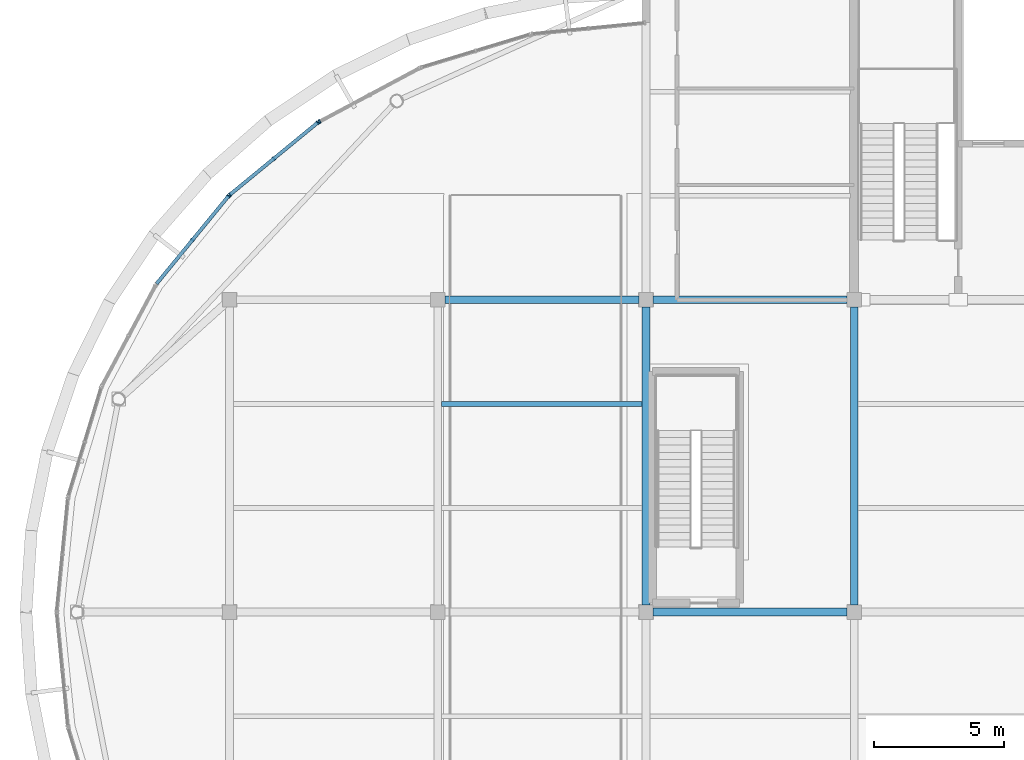
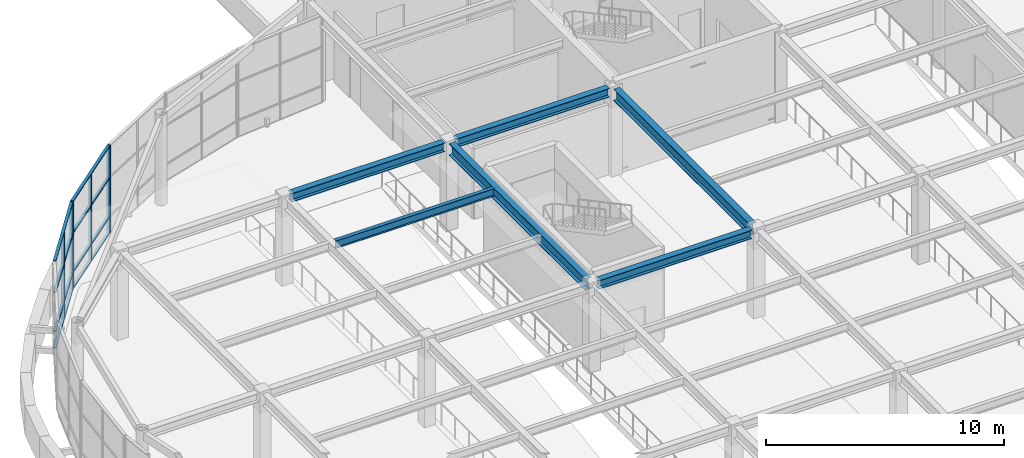
# One storey, part 19 of 72: 14 members, 6 beams, 3 elements without a shape of their own.
"""IFC4 building model written with IfcOpenShell, lengths in metres."""

import ifcopenshell
import ifcopenshell.guid

model = None  # the IFC model being written
_history = None  # IfcOwnerHistory: only IFC2X3 demands one
_inside = {}  # id of a spatial element -> (the spatial element, [elements in it])
_under = {}  # id of a project, library or spatial element -> (it, [spatial elements below it])
_declared = {}  # id of a project -> (the project, [libraries it declares])
_typed = {}  # id of a type object -> (the type object, [elements of that type])
_made_of = {}  # id of a material, layer set ... -> (it, [elements and type objects made of it])


def new_model(schema):
    """Start an empty IFC model of exactly this schema.

    Asked for "IFC4X3", IfcOpenShell would pick the latest addendum, in which some entities
    have other attributes; the version numbers below select the first issue.
    IFC2X3 requires an IfcOwnerHistory on every rooted entity: one is made here for all.
    """
    global model, _history
    if schema == "IFC4X3":
        model = ifcopenshell.file(schema_version=(4, 3, 0, 0))
    else:
        model = ifcopenshell.file(schema=schema)
    _inside.clear()
    _under.clear()
    _declared.clear()
    _typed.clear()
    _made_of.clear()
    _history = None
    if model.schema == "IFC2X3":
        org = make("IfcOrganization", Name="unknown")
        user = make(
            "IfcPersonAndOrganization",
            ThePerson=make("IfcPerson", FamilyName="unknown"),
            TheOrganization=org,
        )
        app = make(
            "IfcApplication",
            ApplicationDeveloper=org,
            Version="unknown",
            ApplicationFullName="unknown",
            ApplicationIdentifier="unknown",
        )
        _history = make(
            "IfcOwnerHistory",
            OwningUser=user,
            OwningApplication=app,
            ChangeAction="ADDED",
            CreationDate=0,
        )
    return model


def make(cls, **values):
    """One entity of the class cls with the attributes given. An attribute that is None is left unset."""
    return model.create_entity(
        cls, **{name: value for name, value in values.items() if value is not None}
    )


def rooted(cls, **values):
    """An entity with a GlobalId (a new one), such as an element, a storey or a relation."""
    return make(cls, GlobalId=ifcopenshell.guid.new(), OwnerHistory=_history, **values)


def si_unit(unit_type, name, prefix=None):
    """IfcSIUnit, for example si_unit("LENGTHUNIT", "METRE", prefix="MILLI")."""
    return make("IfcSIUnit", UnitType=unit_type, Prefix=prefix, Name=name)


def assignment(units):
    """IfcUnitAssignment: the units of a project."""
    return None if units is None else make("IfcUnitAssignment", Units=units)


def point(xyz):
    """IfcCartesianPoint."""
    return None if xyz is None else make("IfcCartesianPoint", Coordinates=xyz)


def direction(xyz):
    """IfcDirection."""
    return None if xyz is None else make("IfcDirection", DirectionRatios=xyz)


def frame(location, z_axis=None, x_axis=None):
    """IfcAxis2Placement3D, a coordinate frame: its origin and axes. An axis left out is left unset."""
    return make(
        "IfcAxis2Placement3D",
        Location=point(location),
        Axis=direction(z_axis),
        RefDirection=direction(x_axis),
    )


def frame_2d(location, x_axis=None):
    """IfcAxis2Placement2D, a coordinate frame in the plane: its origin and x axis."""
    return make(
        "IfcAxis2Placement2D", Location=point(location), RefDirection=direction(x_axis)
    )


def origin():
    """The frame at (0, 0, 0) with its axes left unset."""
    return frame((0.0, 0.0, 0.0))


def origin_2d():
    """The frame at (0, 0) in the plane with its x axis left unset."""
    return frame_2d((0.0, 0.0))


def place(relative_to, where):
    """IfcLocalPlacement: puts the frame where relative to a parent placement (None: the world)."""
    return make(
        "IfcLocalPlacement", PlacementRelTo=relative_to, RelativePlacement=where
    )


def context(
    kind, dimensions, precision=None, world=None, true_north=None, identifier=None
):
    """IfcGeometricRepresentationContext, for example the 3D "Model" context."""
    return make(
        "IfcGeometricRepresentationContext",
        ContextIdentifier=identifier,
        ContextType=kind,
        CoordinateSpaceDimension=dimensions,
        Precision=precision,
        WorldCoordinateSystem=world,
        TrueNorth=true_north,
    )


def subcontext(parent, identifier, kind, view, scale=None):
    """IfcGeometricRepresentationSubContext, for example "Body" below "Model"."""
    return make(
        "IfcGeometricRepresentationSubContext",
        ContextIdentifier=identifier,
        ContextType=kind,
        ParentContext=parent,
        TargetScale=scale,
        TargetView=view,
    )


def project(units=None, contexts=None):
    """IfcProject with its units and contexts."""
    return rooted(
        "IfcProject",
        Name="project",
        RepresentationContexts=contexts,
        UnitsInContext=assignment(units),
    )


def spatial(cls, under=None, at=None, **own):
    """A site, building, storey or space (cls), placed at a placement, below another one or the project."""
    s = rooted(cls, ObjectPlacement=at, **own)
    if under is not None:
        _under.setdefault(under.id(), (under, []))[1].append(s)
    return s


def profile(cls, at=None, kind="AREA", **sizes):
    """A parametric profile (cls). Its sizes go by their IFC names, for example OverallWidth=200.0."""
    return make(cls, ProfileType=kind, Position=at, **sizes)


def rectangle(**sizes):
    """IfcRectangleProfileDef."""
    return profile("IfcRectangleProfileDef", **sizes)


def i_section(**sizes):
    """IfcIShapeProfileDef."""
    return profile("IfcIShapeProfileDef", **sizes)


def extrude(swept, where, along, depth):
    """IfcExtrudedAreaSolid: the profile swept, set in the frame where, extruded along a direction by depth."""
    return make(
        "IfcExtrudedAreaSolid",
        SweptArea=swept,
        Position=where,
        ExtrudedDirection=direction(along),
        Depth=depth,
    )


def shape(context_of_items, identifier, shape_type, items):
    """IfcShapeRepresentation: the items that make up one representation, for example the "Body"."""
    return make(
        "IfcShapeRepresentation",
        ContextOfItems=context_of_items,
        RepresentationIdentifier=identifier,
        RepresentationType=shape_type,
        Items=items,
    )


def material(Name=None, Category=None):
    """IfcMaterial."""
    return make("IfcMaterial", Name=Name, Category=Category)


def layer(
    of_material, thickness, ventilated=None, Name=None, Category=None, Priority=None
):
    """IfcMaterialLayer: one layer of a wall or slab, of a material (None: an air gap)."""
    return make(
        "IfcMaterialLayer",
        Material=of_material,
        LayerThickness=thickness,
        IsVentilated=ventilated,
        Name=Name,
        Category=Category,
        Priority=Priority,
    )


def layer_set(layers, Name=None):
    """IfcMaterialLayerSet."""
    return make("IfcMaterialLayerSet", MaterialLayers=layers, LayerSetName=Name)


def material_profile(
    of_material, cross_section, Name=None, Category=None, Priority=None
):
    """IfcMaterialProfile: a cross section and its material."""
    return make(
        "IfcMaterialProfile",
        Name=Name,
        Material=of_material,
        Profile=cross_section,
        Priority=Priority,
        Category=Category,
    )


def profile_set(profiles, Name=None, composite=None):
    """IfcMaterialProfileSet."""
    return make(
        "IfcMaterialProfileSet",
        Name=Name,
        MaterialProfiles=profiles,
        CompositeProfile=composite,
    )


def made_of(thing, what):
    """Note that an element or type object is made of a material, layer set ...; save() writes the relation."""
    if what is not None:
        _made_of.setdefault(what.id(), (what, []))[1].append(thing)
    return thing


def type_object(cls, material=None, **own):
    """A type object (cls), such as IfcWallType, which elements share."""
    return made_of(rooted(cls, **own), material)


def element(
    cls,
    number,
    at=None,
    inside=None,
    cuts=None,
    type_object=None,
    material=None,
    context=None,
    identifier="Body",
    shape_type=None,
    held_by="IfcProductDefinitionShape",
    body=None,
    shapes=None,
    **own,
):
    """One element of the class cls, such as IfcWall. Its Tag is "e" and its number.

    at: its placement. inside: the storey or other place that contains it. cuts: it is an
    opening in that element (IfcRelVoidsElement). A single representation is given by context,
    identifier, shape_type and body (its items); several are given by shapes. held_by: the class
    of the entity that holds the representations. save() writes the other relations.
    """
    e = rooted(cls, Tag="e%d" % number, ObjectPlacement=at, **own)
    if body is not None:
        shapes = [shape(context, identifier, shape_type, body)]
    if shapes is not None:
        e.Representation = make(held_by, Representations=shapes)
    if inside is not None:
        _inside.setdefault(inside.id(), (inside, []))[1].append(e)
    if cuts is not None:
        rooted(
            "IfcRelVoidsElement", RelatingBuildingElement=cuts, RelatedOpeningElement=e
        )
    if type_object is not None:
        _typed.setdefault(type_object.id(), (type_object, []))[1].append(e)
    return made_of(e, material)


def aggregate(whole, parts):
    """IfcRelAggregates: a whole, such as a stair, and the parts it consists of."""
    return rooted("IfcRelAggregates", RelatingObject=whole, RelatedObjects=parts)


def save(model, path):
    """Write the relations noted so far, then the file.

    IfcRelAggregates (storeys below a building ...), IfcRelContainedInSpatialStructure (elements
    in a storey), IfcRelDefinesByType, IfcRelAssociatesMaterial and IfcRelDeclares: one each for
    every whole, place, type object, material and project.
    """
    for whole, parts in _under.values():
        aggregate(whole, parts)
    for where, things in _inside.values():
        rooted(
            "IfcRelContainedInSpatialStructure",
            RelatedElements=things,
            RelatingStructure=where,
        )
    for kind, things in _typed.values():
        rooted("IfcRelDefinesByType", RelatedObjects=things, RelatingType=kind)
    for what, things in _made_of.values():
        rooted("IfcRelAssociatesMaterial", RelatedObjects=things, RelatingMaterial=what)
    for by, libraries in _declared.values():
        rooted("IfcRelDeclares", RelatingContext=by, RelatedDefinitions=libraries)
    model.write(path)


model = new_model("IFC4")

# Units and contexts
model_context = context("Model", 3, precision=1e-05, world=origin(), true_north=direction((0.0, 1.0)))
body_context = subcontext(model_context, "Body", "Model", "MODEL_VIEW")
ifc_project = project(units=[si_unit("LENGTHUNIT", "METRE"), si_unit("AREAUNIT", "SQUARE_METRE"), si_unit("VOLUMEUNIT", "CUBIC_METRE"), si_unit("PLANEANGLEUNIT", "RADIAN"), si_unit("MASSUNIT", "GRAM", prefix="KILO")], contexts=[model_context])

# Site, building, storey
site_placement = place(None, origin())
site = spatial("IfcSite", under=ifc_project, at=site_placement, CompositionType="ELEMENT")
building_placement = place(site_placement, origin())
building = spatial("IfcBuilding", under=site, at=building_placement, Name="Keelwater Ferry Terminal", CompositionType="ELEMENT")
storey_placement = place(building_placement, frame((0.0, 0.0, 5.39990234375)))
storey = spatial("IfcBuildingStorey", under=building, at=storey_placement, Name="L01", CompositionType="ELEMENT", Elevation=5.39990234375)

# Curtain wall, member
ifc_material_1 = material(Name="Thermally broken unitised aluminium and triple glass", Category="aluminium")
ifc_layer = layer(ifc_material_1, 0.179931640625)
ifc_layer_set = layer_set([ifc_layer], Name="Thermally broken unitised aluminium and triple glass")
curtain_wall_type = type_object("IfcCurtainWallType", Name="CW-18 Unitised Curtain Wall 4350x4480", PredefinedType="USERDEFINED", material=ifc_layer_set)
curtain_wall_1_placement = place(storey_placement, origin())
curtain_wall_1 = element("IfcCurtainWall", 1, at=curtain_wall_1_placement, inside=storey, type_object=curtain_wall_type, Name="Unitised Curtain Wall CW-L01-111", ObjectType="UNITISED CURTAIN WALL", PredefinedType="USERDEFINED")
ifc_material_2 = material(Name="Aluminium mullion", Category="aluminium")
ifc_material_profile_1 = material_profile(ifc_material_2, rectangle(XDim=0.06005859375, YDim=0.14990234375, at=origin_2d()), Name="CWM-03")
ifc_profile_set_1 = profile_set([ifc_material_profile_1], Name="Aluminium mullion")
member_type_1 = type_object("IfcMemberType", Name="CWM-03 Curtain Mullion 60x150", PredefinedType="MULLION", material=ifc_profile_set_1)
member_1_placement = place(storey_placement, frame((11.4560546875, 84.85400390625, 0.0), z_axis=(0.0, 0.0, 1.0), x_axis=(-0.881862452632, -0.471506749303, 0.0)))
member_1 = element("IfcMember", 2, at=member_1_placement, type_object=member_type_1, Name="CW-L01-111 Mullion 3", PredefinedType="MULLION", context=body_context, shape_type="SweptSolid", body=[
    extrude(rectangle(XDim=0.06005859375, YDim=0.14990234375, at=origin_2d()), origin(), (0.0, 0.0, 1.0), 4.47998046875),
])
aggregate(curtain_wall_1, [member_1])

# Curtain wall, members
curtain_wall_2_placement = place(storey_placement, origin())
curtain_wall_2 = element("IfcCurtainWall", 3, at=curtain_wall_2_placement, inside=storey, type_object=curtain_wall_type, Name="Unitised Curtain Wall CW-L01-112", ObjectType="UNITISED CURTAIN WALL", PredefinedType="USERDEFINED")
member_2_placement = place(storey_placement, frame((11.381103515625, 84.803955078125, 0.0), z_axis=(0.0, 0.0, 1.0), x_axis=(-0.773024220086, -0.634376508991, 0.0)))
member_2 = element("IfcMember", 4, at=member_2_placement, type_object=member_type_1, Name="CW-L01-112 Mullion 1", PredefinedType="MULLION", context=body_context, shape_type="SweptSolid", body=[
    extrude(rectangle(XDim=0.06005859375, YDim=0.14990234375, at=origin_2d()), origin(), (0.0, 0.0, 1.0), 4.47998046875),
])
member_3_placement = place(storey_placement, frame((9.699951171875, 83.424560546875, 0.0), z_axis=(0.0, 0.0, 1.0), x_axis=(-0.773024220086, -0.634376508991, 0.0)))
member_3 = element("IfcMember", 5, at=member_3_placement, type_object=member_type_1, Name="CW-L01-112 Mullion 2", PredefinedType="MULLION", context=body_context, shape_type="SweptSolid", body=[
    extrude(rectangle(XDim=0.06005859375, YDim=0.14990234375, at=origin_2d()), origin(), (0.0, 0.0, 1.0), 4.47998046875),
])
member_4_placement = place(storey_placement, frame((8.01904296875, 82.044921875, 0.0), z_axis=(0.0, 0.0, 1.0), x_axis=(-0.773024220086, -0.634376508991, 0.0)))
member_4 = element("IfcMember", 6, at=member_4_placement, type_object=member_type_1, Name="CW-L01-112 Mullion 3", PredefinedType="MULLION", context=body_context, shape_type="SweptSolid", body=[
    extrude(rectangle(XDim=0.06005859375, YDim=0.14990234375, at=origin_2d()), origin(), (0.0, 0.0, 1.0), 4.47998046875),
])

curtain_wall_3_placement = place(storey_placement, origin())
curtain_wall_3 = element("IfcCurtainWall", 7, at=curtain_wall_3_placement, inside=storey, type_object=curtain_wall_type, Name="Unitised Curtain Wall CW-L01-113", ObjectType="UNITISED CURTAIN WALL", PredefinedType="USERDEFINED")
member_5_placement = place(storey_placement, frame((7.955078125, 81.98095703125, 0.0), z_axis=(0.0, 0.0, 1.0), x_axis=(-0.634376508991, -0.773024220086, 0.0)))
member_5 = element("IfcMember", 8, at=member_5_placement, type_object=member_type_1, Name="CW-L01-113 Mullion 1", PredefinedType="MULLION", context=body_context, shape_type="SweptSolid", body=[
    extrude(rectangle(XDim=0.06005859375, YDim=0.14990234375, at=origin_2d()), origin(), (0.0, 0.0, 1.0), 4.47998046875),
])
member_6_placement = place(storey_placement, frame((6.575439453125, 80.300048828125, 0.0), z_axis=(0.0, 0.0, 1.0), x_axis=(-0.634376508991, -0.773024220086, 0.0)))
member_6 = element("IfcMember", 9, at=member_6_placement, type_object=member_type_1, Name="CW-L01-113 Mullion 2", PredefinedType="MULLION", context=body_context, shape_type="SweptSolid", body=[
    extrude(rectangle(XDim=0.06005859375, YDim=0.14990234375, at=origin_2d()), origin(), (0.0, 0.0, 1.0), 4.47998046875),
])

# Member
ifc_material_3 = material(Name="Aluminium mullion", Category="aluminium")
ifc_material_profile_2 = material_profile(ifc_material_3, rectangle(XDim=0.135009765625, YDim=0.06005859375, at=origin_2d()), Name="CWT-03")
ifc_profile_set_2 = profile_set([ifc_material_profile_2], Name="Aluminium mullion")
member_type_2 = type_object("IfcMemberType", Name="CWT-03 Curtain Transom 60x135", PredefinedType="USERDEFINED", material=ifc_profile_set_2)
member_7_placement = place(storey_placement, frame((11.381103515625, 84.803955078125, 0.0), z_axis=(-0.773026078732, -0.634374244118, 0.0), x_axis=(0.634374244118, -0.773026078732, 0.0)))
member_7 = element("IfcMember", 10, at=member_7_placement, type_object=member_type_2, Name="CW-L01-112 Transom 1", ObjectType="TRANSOM", PredefinedType="USERDEFINED", context=body_context, shape_type="SweptSolid", body=[
    extrude(rectangle(XDim=0.135009765625, YDim=0.06005859375, at=origin_2d()), origin(), (0.0, 0.0, 1.0), 4.34912109375),
])

member_8_placement = place(storey_placement, frame((11.381103515625, 84.803955078125, 0.85009765625), z_axis=(-0.773026078732, -0.634374244118, 0.0), x_axis=(0.634374244118, -0.773026078732, 0.0)))
member_8 = element("IfcMember", 11, at=member_8_placement, type_object=member_type_2, Name="CW-L01-112 Transom 2", ObjectType="TRANSOM", PredefinedType="USERDEFINED", context=body_context, shape_type="SweptSolid", body=[
    extrude(rectangle(XDim=0.135009765625, YDim=0.06005859375, at=origin_2d()), origin(), (0.0, 0.0, 1.0), 4.34912109375),
])

member_9_placement = place(storey_placement, frame((11.381103515625, 84.803955078125, 2.85009765625), z_axis=(-0.773026078732, -0.634374244118, 0.0), x_axis=(0.634374244118, -0.773026078732, 0.0)))
member_9 = element("IfcMember", 12, at=member_9_placement, type_object=member_type_2, Name="CW-L01-112 Transom 3", ObjectType="TRANSOM", PredefinedType="USERDEFINED", context=body_context, shape_type="SweptSolid", body=[
    extrude(rectangle(XDim=0.135009765625, YDim=0.06005859375, at=origin_2d()), origin(), (0.0, 0.0, 1.0), 4.34912109375),
])

member_10_placement = place(storey_placement, frame((11.381103515625, 84.803955078125, 4.47998046875), z_axis=(-0.773026078732, -0.634374244118, 0.0), x_axis=(0.634374244118, -0.773026078732, 0.0)))
member_10 = element("IfcMember", 13, at=member_10_placement, type_object=member_type_2, Name="CW-L01-112 Transom 4", ObjectType="TRANSOM", PredefinedType="USERDEFINED", context=body_context, shape_type="SweptSolid", body=[
    extrude(rectangle(XDim=0.135009765625, YDim=0.06005859375, at=origin_2d()), origin(), (0.0, 0.0, 1.0), 4.34912109375),
])

aggregate(curtain_wall_2, [member_2, member_3, member_4, member_7, member_8, member_9, member_10])

member_11_placement = place(storey_placement, frame((7.955078125, 81.98095703125, 0.0), z_axis=(-0.634374244118, -0.773026078732, 0.0), x_axis=(0.773026078732, -0.634374244118, 0.0)))
member_11 = element("IfcMember", 14, at=member_11_placement, type_object=member_type_2, Name="CW-L01-113 Transom 1", ObjectType="TRANSOM", PredefinedType="USERDEFINED", context=body_context, shape_type="SweptSolid", body=[
    extrude(rectangle(XDim=0.135009765625, YDim=0.06005859375, at=origin_2d()), origin(), (0.0, 0.0, 1.0), 4.34912109375),
])

member_12_placement = place(storey_placement, frame((7.955078125, 81.98095703125, 0.85009765625), z_axis=(-0.634374244118, -0.773026078732, 0.0), x_axis=(0.773026078732, -0.634374244118, 0.0)))
member_12 = element("IfcMember", 15, at=member_12_placement, type_object=member_type_2, Name="CW-L01-113 Transom 2", ObjectType="TRANSOM", PredefinedType="USERDEFINED", context=body_context, shape_type="SweptSolid", body=[
    extrude(rectangle(XDim=0.135009765625, YDim=0.06005859375, at=origin_2d()), origin(), (0.0, 0.0, 1.0), 4.34912109375),
])

member_13_placement = place(storey_placement, frame((7.955078125, 81.98095703125, 2.85009765625), z_axis=(-0.634374244118, -0.773026078732, 0.0), x_axis=(0.773026078732, -0.634374244118, 0.0)))
member_13 = element("IfcMember", 16, at=member_13_placement, type_object=member_type_2, Name="CW-L01-113 Transom 3", ObjectType="TRANSOM", PredefinedType="USERDEFINED", context=body_context, shape_type="SweptSolid", body=[
    extrude(rectangle(XDim=0.135009765625, YDim=0.06005859375, at=origin_2d()), origin(), (0.0, 0.0, 1.0), 4.34912109375),
])

member_14_placement = place(storey_placement, frame((7.955078125, 81.98095703125, 4.47998046875), z_axis=(-0.634374244118, -0.773026078732, 0.0), x_axis=(0.773026078732, -0.634374244118, 0.0)))
member_14 = element("IfcMember", 17, at=member_14_placement, type_object=member_type_2, Name="CW-L01-113 Transom 4", ObjectType="TRANSOM", PredefinedType="USERDEFINED", context=body_context, shape_type="SweptSolid", body=[
    extrude(rectangle(XDim=0.135009765625, YDim=0.06005859375, at=origin_2d()), origin(), (0.0, 0.0, 1.0), 4.34912109375),
])

aggregate(curtain_wall_3, [member_5, member_6, member_11, member_12, member_13, member_14])

# Beams
ifc_material_4 = material(Name="Steel S355", Category="steel")
ifc_material_profile_3 = material_profile(ifc_material_4, i_section(OverallWidth=0.300048828125, OverallDepth=0.60009765625, WebThickness=0.015380859375, FlangeThickness=0.030029296875, at=origin_2d()), Name="HEB 600")
ifc_profile_set_3 = profile_set([ifc_material_profile_3], Name="Steel S355")
beam_type_1 = type_object("IfcBeamType", Name="G3 HEB 600", PredefinedType="BEAM", material=ifc_profile_set_3)
beam_1_placement = place(storey_placement, frame((24.0, 66.27001953125, 4.22021484375), z_axis=(0.0, 1.0, 0.0), x_axis=(-1.0, 0.0, 0.0)))
element("IfcBeam", 18, at=beam_1_placement, inside=storey, type_object=beam_type_1, Name="Beam BM-L01-0717", PredefinedType="BEAM", context=body_context, shape_type="SweptSolid", body=[
    extrude(i_section(OverallWidth=0.300048828125, OverallDepth=0.60009765625, WebThickness=0.015380859375, FlangeThickness=0.030029296875, at=origin_2d()), origin(), (0.0, 0.0, 1.0), 11.4599609375),
])
ifc_material_5 = material(Name="Steel S355", Category="steel")
ifc_material_profile_4 = material_profile(ifc_material_5, i_section(OverallWidth=0.300048828125, OverallDepth=0.60009765625, WebThickness=0.015380859375, FlangeThickness=0.030029296875, at=origin_2d()), Name="HEB 600")
ifc_profile_set_4 = profile_set([ifc_material_profile_4], Name="Steel S355")
beam_type_2 = type_object("IfcBeamType", Name="G3E HEB 600", PredefinedType="BEAM", material=ifc_profile_set_4)
beam_2_placement = place(storey_placement, frame((32.0, 66.27001953125, 4.22021484375), z_axis=(0.0, 1.0, 0.0), x_axis=(-1.0, 0.0, 0.0)))
element("IfcBeam", 19, at=beam_2_placement, inside=storey, type_object=beam_type_2, Name="Beam BM-L01-0725", PredefinedType="BEAM", context=body_context, shape_type="SweptSolid", body=[
    extrude(i_section(OverallWidth=0.300048828125, OverallDepth=0.60009765625, WebThickness=0.015380859375, FlangeThickness=0.030029296875, at=origin_2d()), origin(), (0.0, 0.0, 1.0), 11.4599609375),
])
ifc_material_6 = material(Name="Steel S355", Category="steel")
ifc_material_profile_5 = material_profile(ifc_material_6, i_section(OverallWidth=0.300048828125, OverallDepth=0.449951171875, WebThickness=0.013916015625, FlangeThickness=0.02587890625, at=origin_2d()), Name="HEB 450")
ifc_profile_set_5 = profile_set([ifc_material_profile_5], Name="Steel S355")
beam_type_3 = type_object("IfcBeamType", Name="G6 HEB 450", PredefinedType="BEAM", material=ifc_profile_set_5)
for number, where, z_axis, x_axis, name in (
    (20, (24.27001953125, 66.0, 4.295166015625), (1.0, 0.0, 0.0), (0.0, 1.0, 0.0), "Beam BM-L01-0648"),
    (21, (16.27001953125, 78.0, 4.295166015625), (1.0, 0.0, 0.0), (0.0, 1.0, 0.0), "Beam BM-L01-0658"),
    (22, (24.27001953125, 78.0, 4.295166015625), (1.0, 0.0, 0.0), (0.0, 1.0, 0.0), "Beam BM-L01-0659"),
):
    element("IfcBeam", number, at=place(storey_placement, frame(where, z_axis=z_axis, x_axis=x_axis)), inside=storey, type_object=beam_type_3, Name=name, PredefinedType="BEAM", context=body_context, shape_type="SweptSolid", body=[
        extrude(i_section(OverallWidth=0.300048828125, OverallDepth=0.449951171875, WebThickness=0.013916015625, FlangeThickness=0.02587890625, at=origin_2d()), origin(), (0.0, 0.0, 1.0), 7.4599609375),
    ])
ifc_material_7 = material(Name="Steel S355", Category="steel")
ifc_material_profile_6 = material_profile(ifc_material_7, i_section(OverallWidth=0.179931640625, OverallDepth=0.39990234375, WebThickness=0.008544921875, FlangeThickness=0.013427734375, at=origin_2d()), Name="IPE 400")
ifc_profile_set_6 = profile_set([ifc_material_profile_6], Name="Steel S355")
beam_type_4 = type_object("IfcBeamType", Name="J5 IPE 400", PredefinedType="JOIST", material=ifc_profile_set_6)
beam_3_placement = place(storey_placement, frame((16.14990234375, 74.0, 4.320068359375), z_axis=(1.0, 0.0, 0.0), x_axis=(0.0, 1.0, 0.0)))
element("IfcBeam", 23, at=beam_3_placement, inside=storey, type_object=beam_type_4, Name="Beam BM-L01-0818", PredefinedType="JOIST", context=body_context, shape_type="SweptSolid", body=[
    extrude(i_section(OverallWidth=0.179931640625, OverallDepth=0.39990234375, WebThickness=0.008544921875, FlangeThickness=0.013427734375, at=origin_2d()), origin(), (0.0, 0.0, 1.0), 7.7001953125),
])

save(model, "model.ifc")
